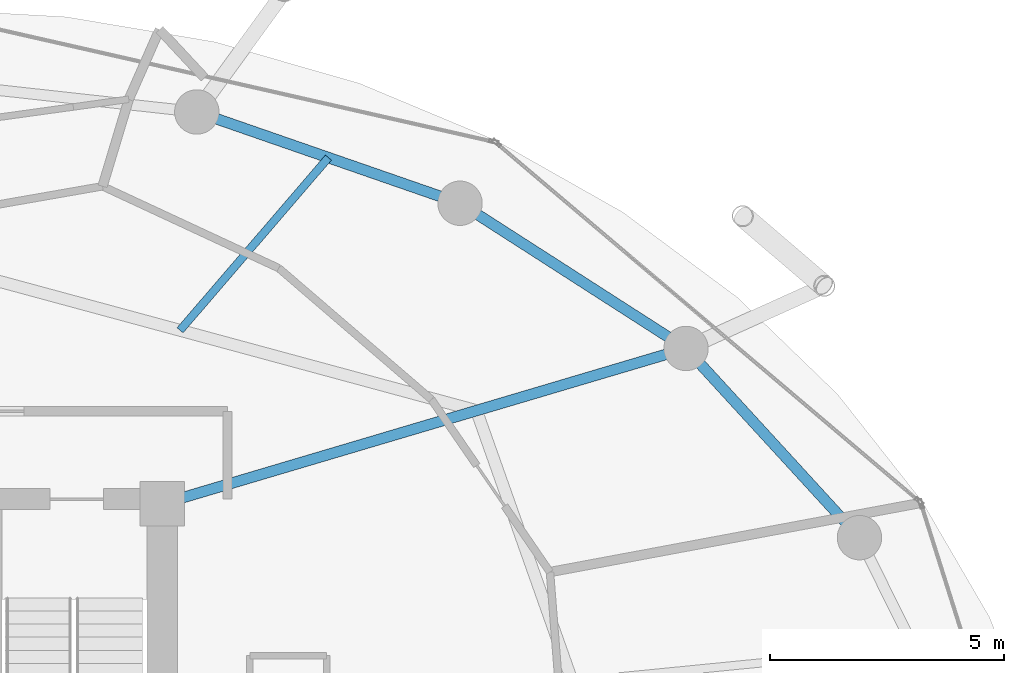
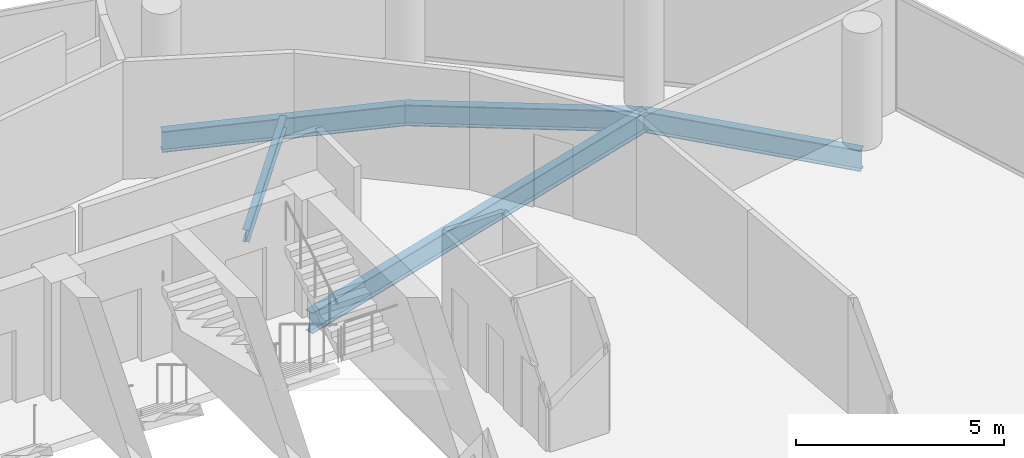
# One storey, part 18 of 26: 5 beams.
"""IFC4 building model written with IfcOpenShell, lengths in metres."""

from ifc_helpers import new_model, si_unit, direction, frame, origin, origin_2d, place, context, subcontext, project, spatial, i_section, extrude, material, material_profile, profile_set, type_object, element, save


model = new_model("IFC4")

# Units and contexts
model_context = context("Model", 3, precision=1e-05, world=origin(), true_north=direction((0.0, 1.0)))
body_context = subcontext(model_context, "Body", "Model", "MODEL_VIEW")
ifc_project = project(units=[si_unit("LENGTHUNIT", "METRE"), si_unit("AREAUNIT", "SQUARE_METRE"), si_unit("VOLUMEUNIT", "CUBIC_METRE"), si_unit("PLANEANGLEUNIT", "RADIAN"), si_unit("MASSUNIT", "GRAM", prefix="KILO")], contexts=[model_context])

# Site, building, storey
site_placement = place(None, origin())
site = spatial("IfcSite", under=ifc_project, at=site_placement, CompositionType="ELEMENT")
building_placement = place(site_placement, origin())
building = spatial("IfcBuilding", under=site, at=building_placement, Name="Nuhasar Tower", CompositionType="ELEMENT")
storey_placement = place(building_placement, frame((0.0, 0.0, 162.64990234375)))
storey = spatial("IfcBuildingStorey", under=building, at=storey_placement, Name="L39", CompositionType="ELEMENT", Elevation=162.64990234375)

# Beams
ifc_material = material(Name="Steel S355", Category="steel")
ifc_material_profile_1 = material_profile(ifc_material, i_section(OverallWidth=0.1708984375, OverallDepth=0.35205078125, WebThickness=0.0068359375, FlangeThickness=0.009765625, at=origin_2d()), Name="W14X30")
ifc_profile_set_1 = profile_set([ifc_material_profile_1], Name="Steel S355")
beam_type_1 = type_object("IfcBeamType", Name="BM-JST-W14X30", PredefinedType="JOIST", material=ifc_profile_set_1)
beam_1_placement = place(storey_placement, frame((44.68408203125, 41.011962890625, -0.42578125), z_axis=(0.651690621509, 0.758484893612, 0.0), x_axis=(-0.758484893612, 0.651690621509, 0.0)))
element("IfcBeam", 1, at=beam_1_placement, inside=storey, type_object=beam_type_1, Name="L39 Secondary Floor Joist 05", PredefinedType="JOIST", context=body_context, shape_type="SweptSolid", body=[
    extrude(i_section(OverallWidth=0.1708984375, OverallDepth=0.35205078125, WebThickness=0.0068359375, FlangeThickness=0.009765625, at=origin_2d()), origin(), (0.0, 0.0, 1.0), 4.87158203125),
])
ifc_material_profile_2 = material_profile(ifc_material, i_section(OverallWidth=0.22900390625, OverallDepth=0.612060546875, WebThickness=0.011962890625, FlangeThickness=0.01953125, at=origin_2d()), Name="W24X84")
ifc_profile_set_2 = profile_set([ifc_material_profile_2], Name="Steel S355")
beam_type_2 = type_object("IfcBeamType", Name="BM-RAD-W24X84", PredefinedType="BEAM", material=ifc_profile_set_2)
beam_2_placement = place(storey_placement, frame((44.300048828125, 37.300048828125, -0.555908203125), z_axis=(0.958746492721, 0.284262489076, 0.0), x_axis=(-0.284262489076, 0.958746492721, 0.0)))
element("IfcBeam", 2, at=beam_2_placement, inside=storey, type_object=beam_type_2, Name="L39 Radial Floor Girder 05", PredefinedType="BEAM", context=body_context, shape_type="SweptSolid", body=[
    extrude(i_section(OverallWidth=0.22900390625, OverallDepth=0.612060546875, WebThickness=0.011962890625, FlangeThickness=0.01953125, at=origin_2d()), origin(), (0.0, 0.0, 1.0), 11.693359375),
])
ifc_material_profile_3 = material_profile(ifc_material, i_section(OverallWidth=0.22998046875, OverallDepth=0.616943359375, WebThickness=0.01318359375, FlangeThickness=0.022216796875, at=origin_2d()), Name="W24X94")
ifc_profile_set_3 = profile_set([ifc_material_profile_3], Name="Steel S355")
beam_type_3 = type_object("IfcBeamType", Name="BM-RING-W24X94", PredefinedType="SPANDREL", material=ifc_profile_set_3)
beam_3_placement = place(storey_placement, frame((59.221923828125, 36.574951171875, -0.558837890625), z_axis=(-0.675654174897, 0.737218716491, 0.0), x_axis=(-0.737218716491, -0.675654174897, 0.0)))
element("IfcBeam", 3, at=beam_3_placement, inside=storey, type_object=beam_type_3, Name="L39 Perimeter Ring Spandrel 03", PredefinedType="SPANDREL", context=body_context, shape_type="SweptSolid", body=[
    extrude(i_section(OverallWidth=0.22998046875, OverallDepth=0.616943359375, WebThickness=0.01318359375, FlangeThickness=0.022216796875, at=origin_2d()), origin(), (0.0, 0.0, 1.0), 5.492431640625),
])
beam_4_placement = place(storey_placement, frame((55.510986328125, 40.6240234375, -0.558837890625), z_axis=(-0.841327486207, 0.540525726448, 0.0), x_axis=(-0.540525726448, -0.841327486207, 0.0)))
element("IfcBeam", 4, at=beam_4_placement, inside=storey, type_object=beam_type_3, Name="L39 Perimeter Ring Spandrel 04", PredefinedType="SPANDREL", context=body_context, shape_type="SweptSolid", body=[
    extrude(i_section(OverallWidth=0.22998046875, OverallDepth=0.616943359375, WebThickness=0.01318359375, FlangeThickness=0.022216796875, at=origin_2d()), origin(), (0.0, 0.0, 1.0), 5.748046875),
])
beam_5_placement = place(storey_placement, frame((50.675048828125, 43.73095703125, -0.558837890625), z_axis=(-0.944801380051, 0.327643636066, 0.0), x_axis=(-0.327643636066, -0.944801380051, 0.0)))
element("IfcBeam", 5, at=beam_5_placement, inside=storey, type_object=beam_type_3, Name="L39 Perimeter Ring Spandrel 05", PredefinedType="SPANDREL", context=body_context, shape_type="SweptSolid", body=[
    extrude(i_section(OverallWidth=0.22998046875, OverallDepth=0.616943359375, WebThickness=0.01318359375, FlangeThickness=0.022216796875, at=origin_2d()), origin(), (0.0, 0.0, 1.0), 5.961181640625),
])

save(model, "model.ifc")
